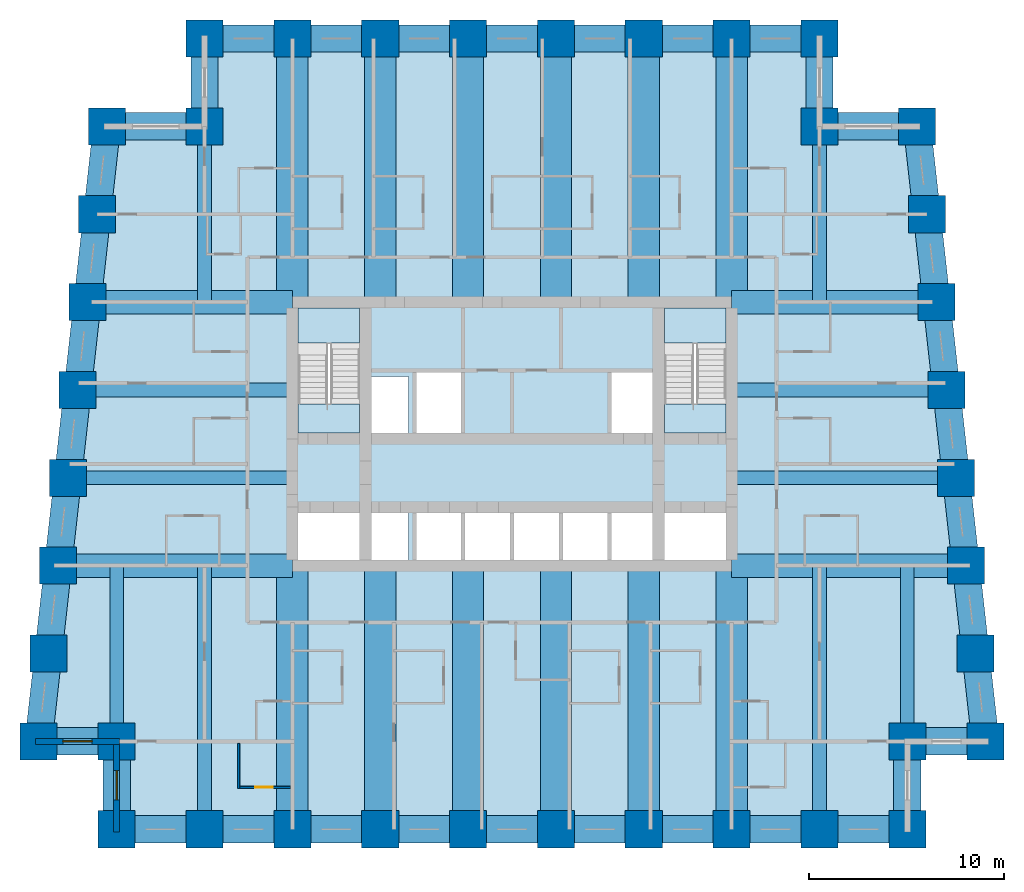
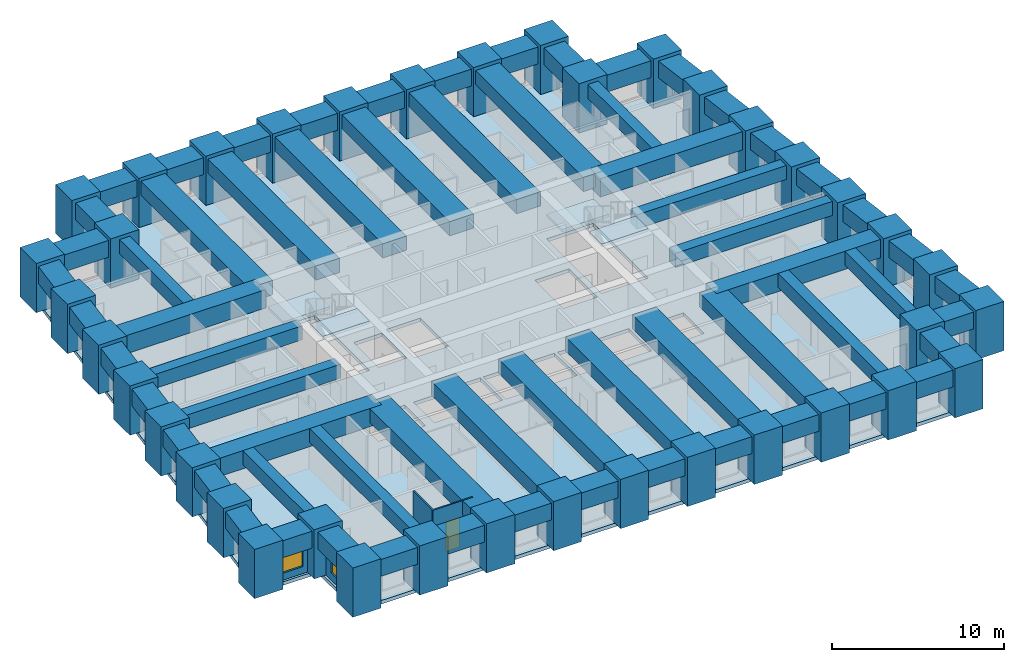
# One storey, part 1 of 8: 64 beams, 38 columns, 5 slabs, 4 walls, 2 windows, 1 door, 3 openings, 2 elements without a shape of their own.
"""IFC4 building model written with IfcOpenShell, lengths in metres."""

from ifc_helpers import new_model, si_unit, direction, frame, frame_2d, origin, origin_2d, place, context, subcontext, project, spatial, polyline, rectangle, outline, extrude, material, layer, layer_set, material_profile, profile_set, type_object, element, fill, aggregate, save


model = new_model("IFC4")

# Units and contexts
model_context = context("Model", 3, precision=1e-05, world=origin(), true_north=direction((0.0, 1.0)))
body_context = subcontext(model_context, "Body", "Model", "MODEL_VIEW")
ifc_project = project(units=[si_unit("LENGTHUNIT", "METRE"), si_unit("AREAUNIT", "SQUARE_METRE"), si_unit("VOLUMEUNIT", "CUBIC_METRE"), si_unit("PLANEANGLEUNIT", "RADIAN"), si_unit("MASSUNIT", "GRAM", prefix="KILO")], contexts=[model_context])

# Site, building, storey
site_placement = place(None, origin())
site = spatial("IfcSite", under=ifc_project, at=site_placement, CompositionType="ELEMENT")
building_placement = place(site_placement, origin())
building = spatial("IfcBuilding", under=site, at=building_placement, Name="Kilele Tower Hotel", CompositionType="ELEMENT")
storey_placement = place(building_placement, frame((0.0, 0.0, 43.699951171875)))
storey = spatial("IfcBuildingStorey", under=building, at=storey_placement, Name="L09", CompositionType="ELEMENT", Elevation=43.699951171875)

# Columns
ifc_material_1 = material(Name="Concrete C80/95", Category="concrete")
ifc_material_profile_1 = material_profile(ifc_material_1, rectangle(XDim=1.89990234375, YDim=1.89990234375, at=origin_2d()))
ifc_profile_set_1 = profile_set([ifc_material_profile_1], Name="Concrete C80/95")
column_type = type_object("IfcColumnType", Name="Tube column RC 1900x1900 C80/95", PredefinedType="COLUMN", material=ifc_profile_set_1)
for number, where, z_axis, x_axis, name in (
    (1, (0.5, 4.5, 0.0), (0.0, 0.0, 1.0), (1.0, 0.0, 0.0), "Column TC1 L09"),
    (2, (4.5, 4.5, 0.0), (0.0, 0.0, 1.0), (1.0, 0.0, 0.0), "Column TC1 L09"),
    (3, (4.5, 0.0, 0.0), (0.0, 0.0, 1.0), (1.0, 0.0, 0.0), "Column TC1 L09"),
    (4, (9.0, 0.0, 0.0), (0.0, 0.0, 1.0), (1.0, 0.0, 0.0), "Column TC1 L09"),
    (5, (13.5, 0.0, 0.0), (0.0, 0.0, 1.0), (1.0, 0.0, 0.0), "Column TC1 L09"),
    (6, (18.0, 0.0, 0.0), (0.0, 0.0, 1.0), (1.0, 0.0, 0.0), "Column TC1 L09"),
    (7, (22.5, 0.0, 0.0), (0.0, 0.0, 1.0), (1.0, 0.0, 0.0), "Column TC1 L09"),
    (8, (27.0, 0.0, 0.0), (0.0, 0.0, 1.0), (1.0, 0.0, 0.0), "Column TC1 L09"),
    (9, (31.5, 0.0, 0.0), (0.0, 0.0, 1.0), (1.0, 0.0, 0.0), "Column TC1 L09"),
    (10, (36.0, 0.0, 0.0), (0.0, 0.0, 1.0), (1.0, 0.0, 0.0), "Column TC1 L09"),
    (11, (40.5, 0.0, 0.0), (0.0, 0.0, 1.0), (1.0, 0.0, 0.0), "Column TC1 L09"),
    (12, (45.0, 0.0, 0.0), (0.0, 0.0, 1.0), (1.0, 0.0, 0.0), "Column TC1 L09"),
    (13, (45.0, 4.5, 0.0), (0.0, 0.0, 1.0), (1.0, 0.0, 0.0), "Column TC1 L09"),
    (14, (49.0, 4.5, 0.0), (0.0, 0.0, 1.0), (1.0, 0.0, 0.0), "Column TC1 L09"),
    (15, (48.5, 9.0, 0.0), (0.0, 0.0, 1.0), (1.0, 0.0, 0.0), "Column TC1 L09"),
    (16, (48.0, 13.5, 0.0), (0.0, 0.0, 1.0), (1.0, 0.0, 0.0), "Column TC1 L09"),
    (17, (47.5, 18.0, 0.0), (0.0, 0.0, 1.0), (1.0, 0.0, 0.0), "Column TC1 L09"),
    (18, (47.0, 22.5, 0.0), (0.0, 0.0, 1.0), (1.0, 0.0, 0.0), "Column TC1 L09"),
    (19, (46.5, 27.0, 0.0), (0.0, 0.0, 1.0), (1.0, 0.0, 0.0), "Column TC1 L09"),
    (20, (46.0, 31.5, 0.0), (0.0, 0.0, 1.0), (1.0, 0.0, 0.0), "Column TC1 L09"),
    (21, (45.5, 36.0, 0.0), (0.0, 0.0, 1.0), (1.0, 0.0, 0.0), "Column TC1 L09"),
    (22, (40.5, 36.0, 0.0), (0.0, 0.0, 1.0), (1.0, 0.0, 0.0), "Column TC1 L09"),
    (23, (40.5, 40.5, 0.0), (0.0, 0.0, 1.0), (1.0, 0.0, 0.0), "Column TC1 L09"),
    (24, (36.0, 40.5, 0.0), (0.0, 0.0, 1.0), (1.0, 0.0, 0.0), "Column TC1 L09"),
    (25, (31.5, 40.5, 0.0), (0.0, 0.0, 1.0), (1.0, 0.0, 0.0), "Column TC1 L09"),
    (26, (27.0, 40.5, 0.0), (0.0, 0.0, 1.0), (1.0, 0.0, 0.0), "Column TC1 L09"),
    (27, (22.5, 40.5, 0.0), (0.0, 0.0, 1.0), (1.0, 0.0, 0.0), "Column TC1 L09"),
    (28, (18.0, 40.5, 0.0), (0.0, 0.0, 1.0), (1.0, 0.0, 0.0), "Column TC1 L09"),
    (29, (13.5, 40.5, 0.0), (0.0, 0.0, 1.0), (1.0, 0.0, 0.0), "Column TC1 L09"),
    (30, (9.0, 40.5, 0.0), (0.0, 0.0, 1.0), (1.0, 0.0, 0.0), "Column TC1 L09"),
    (31, (9.0, 36.0, 0.0), (0.0, 0.0, 1.0), (1.0, 0.0, 0.0), "Column TC1 L09"),
    (32, (4.0, 36.0, 0.0), (0.0, 0.0, 1.0), (1.0, 0.0, 0.0), "Column TC1 L09"),
    (33, (3.5, 31.5, 0.0), (0.0, 0.0, 1.0), (1.0, 0.0, 0.0), "Column TC1 L09"),
    (34, (3.0, 27.0, 0.0), (0.0, 0.0, 1.0), (1.0, 0.0, 0.0), "Column TC1 L09"),
    (35, (2.5, 22.5, 0.0), (0.0, 0.0, 1.0), (1.0, 0.0, 0.0), "Column TC1 L09"),
    (36, (2.0, 18.0, 0.0), (0.0, 0.0, 1.0), (1.0, 0.0, 0.0), "Column TC1 L09"),
    (37, (1.5, 13.5, 0.0), (0.0, 0.0, 1.0), (1.0, 0.0, 0.0), "Column TC1 L09"),
    (38, (1.0, 9.0, 0.0), (0.0, 0.0, 1.0), (1.0, 0.0, 0.0), "Column TC1 L09"),
):
    element("IfcColumn", number, at=place(storey_placement, frame(where, z_axis=z_axis, x_axis=x_axis)), inside=storey, type_object=column_type, Name=name, PredefinedType="COLUMN", context=body_context, shape_type="SweptSolid", body=[
        extrude(rectangle(XDim=1.89990234375, YDim=1.89990234375, at=origin_2d()), origin(), (0.0, 0.0, 1.0), 3.5),
    ])

# Beams
ifc_material_2 = material(Name="Concrete C60/75", Category="concrete")
ifc_material_profile_2 = material_profile(ifc_material_2, rectangle(XDim=1.60009765625, YDim=1.0, at=origin_2d()))
ifc_profile_set_2 = profile_set([ifc_material_profile_2], Name="Concrete C60/75")
beam_type_1 = type_object("IfcBeamType", Name="Beam RC 1600x1000 C60/75", PredefinedType="BEAM", material=ifc_profile_set_2)
for number, where, z_axis, x_axis, name in (
    (39, (13.5, 0.0, 2.75), (0.0, 1.0, 0.0), (-1.0, 0.0, 0.0), "Beam BC1 level L10"),
    (40, (18.0, 0.0, 2.75), (0.0, 1.0, 0.0), (-1.0, 0.0, 0.0), "Beam BC1 level L10"),
    (41, (22.5, 0.0, 2.75), (0.0, 1.0, 0.0), (-1.0, 0.0, 0.0), "Beam BC1 level L10"),
    (42, (27.0, 0.0, 2.75), (0.0, 1.0, 0.0), (-1.0, 0.0, 0.0), "Beam BC1 level L10"),
    (43, (31.5, 0.0, 2.75), (0.0, 1.0, 0.0), (-1.0, 0.0, 0.0), "Beam BC1 level L10"),
    (44, (36.0, 0.0, 2.75), (0.0, 1.0, 0.0), (-1.0, 0.0, 0.0), "Beam BC1 level L10"),
    (45, (36.0, 40.5, 2.75), (0.0, -1.0, 0.0), (1.0, 0.0, 0.0), "Beam BC1 level L10"),
    (46, (31.5, 40.5, 2.75), (0.0, -1.0, 0.0), (1.0, 0.0, 0.0), "Beam BC1 level L10"),
    (47, (27.0, 40.5, 2.75), (0.0, -1.0, 0.0), (1.0, 0.0, 0.0), "Beam BC1 level L10"),
    (48, (22.5, 40.5, 2.75), (0.0, -1.0, 0.0), (1.0, 0.0, 0.0), "Beam BC1 level L10"),
    (49, (18.0, 40.5, 2.75), (0.0, -1.0, 0.0), (1.0, 0.0, 0.0), "Beam BC1 level L10"),
    (50, (13.5, 40.5, 2.75), (0.0, -1.0, 0.0), (1.0, 0.0, 0.0), "Beam BC1 level L10"),
):
    element("IfcBeam", number, at=place(storey_placement, frame(where, z_axis=z_axis, x_axis=x_axis)), inside=storey, type_object=beam_type_1, Name=name, PredefinedType="BEAM", context=body_context, shape_type="SweptSolid", body=[
        extrude(rectangle(XDim=1.60009765625, YDim=1.0, at=origin_2d()), origin(), (0.0, 0.0, 1.0), 13.5),
    ])
ifc_material_3 = material(Name="Concrete C60/75", Category="concrete")
ifc_material_profile_3 = material_profile(ifc_material_3, rectangle(XDim=0.699951171875, YDim=1.0, at=origin_2d()))
ifc_profile_set_3 = profile_set([ifc_material_profile_3], Name="Concrete C60/75")
beam_type_2 = type_object("IfcBeamType", Name="Beam RC 700x1000 C60/75", PredefinedType="BEAM", material=ifc_profile_set_3)
for number, where, z_axis, x_axis, name in (
    (51, (9.0, 0.0, 2.75), (0.0, 1.0, 0.0), (-1.0, 0.0, 0.0), "Beam B4 level L10"),
    (52, (40.5, 0.0, 2.75), (0.0, 1.0, 0.0), (-1.0, 0.0, 0.0), "Beam B4 level L10"),
):
    element("IfcBeam", number, at=place(storey_placement, frame(where, z_axis=z_axis, x_axis=x_axis)), inside=storey, type_object=beam_type_2, Name=name, PredefinedType="BEAM", context=body_context, shape_type="SweptSolid", body=[
        extrude(rectangle(XDim=0.699951171875, YDim=1.0, at=origin_2d()), origin(), (0.0, 0.0, 1.0), 13.5),
    ])
ifc_material_4 = material(Name="Concrete C60/75", Category="concrete")
ifc_material_profile_4 = material_profile(ifc_material_4, rectangle(XDim=0.699951171875, YDim=1.0, at=origin_2d()))
ifc_profile_set_4 = profile_set([ifc_material_profile_4], Name="Concrete C60/75")
beam_type_3 = type_object("IfcBeamType", Name="Beam RC 700x1000 C60/75 mid span", PredefinedType="BEAM", material=ifc_profile_set_4)
for number, where, z_axis, x_axis, name in (
    (53, (4.5, 4.5, 2.75), (0.0, 1.0, 0.0), (-1.0, 0.0, 0.0), "Beam B5 level L10"),
    (54, (45.0, 4.5, 2.75), (0.0, 1.0, 0.0), (-1.0, 0.0, 0.0), "Beam B5 level L10"),
):
    element("IfcBeam", number, at=place(storey_placement, frame(where, z_axis=z_axis, x_axis=x_axis)), inside=storey, type_object=beam_type_3, Name=name, PredefinedType="BEAM", context=body_context, shape_type="SweptSolid", body=[
        extrude(rectangle(XDim=0.699951171875, YDim=1.0, at=origin_2d()), origin(), (0.0, 0.0, 1.0), 9.0),
    ])
beam_1_placement = place(storey_placement, frame((47.5, 18.0, 2.75), z_axis=(-1.0, 0.0, 0.0), x_axis=(0.0, -1.0, 0.0)))
element("IfcBeam", 55, at=beam_1_placement, inside=storey, type_object=beam_type_3, Name="Beam B5 level L10", PredefinedType="BEAM", context=body_context, shape_type="SweptSolid", body=[
    extrude(rectangle(XDim=0.699951171875, YDim=1.0, at=origin_2d()), origin(), (0.0, 0.0, 1.0), 11.5),
])
beam_2_placement = place(storey_placement, frame((47.0, 22.5, 2.75), z_axis=(-1.0, 0.0, 0.0), x_axis=(0.0, -1.0, 0.0)))
element("IfcBeam", 56, at=beam_2_placement, inside=storey, type_object=beam_type_3, Name="Beam B5 level L10", PredefinedType="BEAM", context=body_context, shape_type="SweptSolid", body=[
    extrude(rectangle(XDim=0.699951171875, YDim=1.0, at=origin_2d()), origin(), (0.0, 0.0, 1.0), 11.0),
])
for number, where, z_axis, x_axis, name in (
    (57, (40.5, 36.0, 2.75), (0.0, -1.0, 0.0), (1.0, 0.0, 0.0), "Beam B5 level L10"),
    (58, (9.0, 36.0, 2.75), (0.0, -1.0, 0.0), (1.0, 0.0, 0.0), "Beam B5 level L10"),
):
    element("IfcBeam", number, at=place(storey_placement, frame(where, z_axis=z_axis, x_axis=x_axis)), inside=storey, type_object=beam_type_3, Name=name, PredefinedType="BEAM", context=body_context, shape_type="SweptSolid", body=[
        extrude(rectangle(XDim=0.699951171875, YDim=1.0, at=origin_2d()), origin(), (0.0, 0.0, 1.0), 9.0),
    ])
beam_3_placement = place(storey_placement, frame((2.5, 22.5, 2.75), z_axis=(1.0, 0.0, 0.0), x_axis=(0.0, 1.0, 0.0)))
element("IfcBeam", 59, at=beam_3_placement, inside=storey, type_object=beam_type_3, Name="Beam B5 level L10", PredefinedType="BEAM", context=body_context, shape_type="SweptSolid", body=[
    extrude(rectangle(XDim=0.699951171875, YDim=1.0, at=origin_2d()), origin(), (0.0, 0.0, 1.0), 11.0),
])
beam_4_placement = place(storey_placement, frame((2.0, 18.0, 2.75), z_axis=(1.0, 0.0, 0.0), x_axis=(0.0, 1.0, 0.0)))
element("IfcBeam", 60, at=beam_4_placement, inside=storey, type_object=beam_type_3, Name="Beam B5 level L10", PredefinedType="BEAM", context=body_context, shape_type="SweptSolid", body=[
    extrude(rectangle(XDim=0.699951171875, YDim=1.0, at=origin_2d()), origin(), (0.0, 0.0, 1.0), 11.5),
])
ifc_material_5 = material(Name="Concrete C60/75", Category="concrete")
ifc_material_profile_5 = material_profile(ifc_material_5, rectangle(XDim=1.199951171875, YDim=1.300048828125, at=origin_2d()))
ifc_profile_set_5 = profile_set([ifc_material_profile_5], Name="Concrete C60/75")
beam_type_4 = type_object("IfcBeamType", Name="Girder RC 1200x1300 C60/75", PredefinedType="BEAM", material=ifc_profile_set_5)
for number, where, z_axis, x_axis, name in (
    (61, (48.0, 13.5, 2.60009765625), (-1.0, 0.0, 0.0), (0.0, -1.0, 0.0), "Girder G1 level L10"),
    (62, (1.5, 13.5, 2.60009765625), (1.0, 0.0, 0.0), (0.0, 1.0, 0.0), "Girder G1 level L10"),
):
    element("IfcBeam", number, at=place(storey_placement, frame(where, z_axis=z_axis, x_axis=x_axis)), inside=storey, type_object=beam_type_4, Name=name, PredefinedType="BEAM", context=body_context, shape_type="SweptSolid", body=[
        extrude(rectangle(XDim=1.199951171875, YDim=1.300048828125, at=origin_2d()), origin(), (0.0, 0.0, 1.0), 12.0),
    ])
ifc_material_6 = material(Name="Concrete C60/75", Category="concrete")
ifc_material_profile_6 = material_profile(ifc_material_6, rectangle(XDim=1.199951171875, YDim=1.300048828125, at=origin_2d()))
ifc_profile_set_6 = profile_set([ifc_material_profile_6], Name="Concrete C60/75")
beam_type_5 = type_object("IfcBeamType", Name="Girder RC 1200x1300 C60/75 mid span", PredefinedType="BEAM", material=ifc_profile_set_6)
for number, where, z_axis, x_axis, name in (
    (63, (46.5, 27.0, 2.60009765625), (-1.0, 0.0, 0.0), (0.0, -1.0, 0.0), "Girder G3 level L10"),
    (64, (3.0, 27.0, 2.60009765625), (1.0, 0.0, 0.0), (0.0, 1.0, 0.0), "Girder G3 level L10"),
):
    element("IfcBeam", number, at=place(storey_placement, frame(where, z_axis=z_axis, x_axis=x_axis)), inside=storey, type_object=beam_type_5, Name=name, PredefinedType="BEAM", context=body_context, shape_type="SweptSolid", body=[
        extrude(rectangle(XDim=1.199951171875, YDim=1.300048828125, at=origin_2d()), origin(), (0.0, 0.0, 1.0), 10.5),
    ])
ifc_material_7 = material(Name="Concrete C60/75", Category="concrete")
ifc_material_profile_7 = material_profile(ifc_material_7, rectangle(XDim=1.39990234375, YDim=1.199951171875, at=origin_2d()))
ifc_profile_set_7 = profile_set([ifc_material_profile_7], Name="Concrete C60/75")
beam_type_6 = type_object("IfcBeamType", Name="Spandrel RC 1400x1200 C60/75", PredefinedType="SPANDREL", material=ifc_profile_set_7)
beam_5_placement = place(storey_placement, frame((0.5, 4.5, 2.650146484375), z_axis=(1.0, 0.0, 0.0), x_axis=(0.0, 1.0, 0.0)))
element("IfcBeam", 65, at=beam_5_placement, inside=storey, type_object=beam_type_6, Name="Spandrel SP10 level L10", PredefinedType="SPANDREL", context=body_context, shape_type="SweptSolid", body=[
    extrude(rectangle(XDim=1.39990234375, YDim=1.199951171875, at=origin_2d()), origin(), (0.0, 0.0, 1.0), 4.0),
])
for number, where, z_axis, x_axis, name in (
    (66, (4.5, 4.5, 2.650146484375), (0.0, -1.0, 0.0), (1.0, 0.0, 0.0), "Spandrel SP10 level L10"),
    (67, (4.5, 0.0, 2.650146484375), (1.0, 0.0, 0.0), (0.0, 1.0, 0.0), "Spandrel SP10 level L10"),
    (68, (9.0, 0.0, 2.650146484375), (1.0, 0.0, 0.0), (0.0, 1.0, 0.0), "Spandrel SP10 level L10"),
    (69, (13.5, 0.0, 2.650146484375), (1.0, 0.0, 0.0), (0.0, 1.0, 0.0), "Spandrel SP10 level L10"),
    (70, (18.0, 0.0, 2.650146484375), (1.0, 0.0, 0.0), (0.0, 1.0, 0.0), "Spandrel SP10 level L10"),
    (71, (22.5, 0.0, 2.650146484375), (1.0, 0.0, 0.0), (0.0, 1.0, 0.0), "Spandrel SP10 level L10"),
    (72, (27.0, 0.0, 2.650146484375), (1.0, 0.0, 0.0), (0.0, 1.0, 0.0), "Spandrel SP10 level L10"),
    (73, (31.5, 0.0, 2.650146484375), (1.0, 0.0, 0.0), (0.0, 1.0, 0.0), "Spandrel SP10 level L10"),
    (74, (36.0, 0.0, 2.650146484375), (1.0, 0.0, 0.0), (0.0, 1.0, 0.0), "Spandrel SP10 level L10"),
    (75, (40.5, 0.0, 2.650146484375), (1.0, 0.0, 0.0), (0.0, 1.0, 0.0), "Spandrel SP10 level L10"),
    (76, (45.0, 0.0, 2.650146484375), (0.0, 1.0, 0.0), (-1.0, 0.0, 0.0), "Spandrel SP10 level L10"),
):
    element("IfcBeam", number, at=place(storey_placement, frame(where, z_axis=z_axis, x_axis=x_axis)), inside=storey, type_object=beam_type_6, Name=name, PredefinedType="SPANDREL", context=body_context, shape_type="SweptSolid", body=[
        extrude(rectangle(XDim=1.39990234375, YDim=1.199951171875, at=origin_2d()), origin(), (0.0, 0.0, 1.0), 4.5),
    ])
beam_6_placement = place(storey_placement, frame((45.0, 4.5, 2.650146484375), z_axis=(1.0, 0.0, 0.0), x_axis=(0.0, 1.0, 0.0)))
element("IfcBeam", 77, at=beam_6_placement, inside=storey, type_object=beam_type_6, Name="Spandrel SP10 level L10", PredefinedType="SPANDREL", context=body_context, shape_type="SweptSolid", body=[
    extrude(rectangle(XDim=1.39990234375, YDim=1.199951171875, at=origin_2d()), origin(), (0.0, 0.0, 1.0), 4.0),
])
for number, where, z_axis, x_axis, name in (
    (78, (49.0, 4.5, 2.650146484375), (-0.110431526075, 0.993883734674, 0.0), (-0.993883734674, -0.110431526075, 0.0), "Spandrel SP10 level L10"),
    (79, (48.5, 9.0, 2.650146484375), (-0.110431526075, 0.993883734674, 0.0), (-0.993883734674, -0.110431526075, 0.0), "Spandrel SP10 level L10"),
    (80, (48.0, 13.5, 2.650146484375), (-0.110431526075, 0.993883734674, 0.0), (-0.993883734674, -0.110431526075, 0.0), "Spandrel SP10 level L10"),
    (81, (47.5, 18.0, 2.650146484375), (-0.110431526075, 0.993883734674, 0.0), (-0.993883734674, -0.110431526075, 0.0), "Spandrel SP10 level L10"),
    (82, (47.0, 22.5, 2.650146484375), (-0.110431526075, 0.993883734674, 0.0), (-0.993883734674, -0.110431526075, 0.0), "Spandrel SP10 level L10"),
    (83, (46.5, 27.0, 2.650146484375), (-0.110431526075, 0.993883734674, 0.0), (-0.993883734674, -0.110431526075, 0.0), "Spandrel SP10 level L10"),
    (84, (46.0, 31.5, 2.650146484375), (-0.110431526075, 0.993883734674, 0.0), (-0.993883734674, -0.110431526075, 0.0), "Spandrel SP10 level L10"),
):
    element("IfcBeam", number, at=place(storey_placement, frame(where, z_axis=z_axis, x_axis=x_axis)), inside=storey, type_object=beam_type_6, Name=name, PredefinedType="SPANDREL", context=body_context, shape_type="SweptSolid", body=[
        extrude(rectangle(XDim=1.39990234375, YDim=1.199951171875, at=origin_2d()), origin(), (0.0, 0.0, 1.0), 4.527587890625),
    ])
beam_7_placement = place(storey_placement, frame((45.5, 36.0, 2.650146484375), z_axis=(-1.0, 0.0, 0.0), x_axis=(0.0, -1.0, 0.0)))
element("IfcBeam", 85, at=beam_7_placement, inside=storey, type_object=beam_type_6, Name="Spandrel SP10 level L10", PredefinedType="SPANDREL", context=body_context, shape_type="SweptSolid", body=[
    extrude(rectangle(XDim=1.39990234375, YDim=1.199951171875, at=origin_2d()), origin(), (0.0, 0.0, 1.0), 5.0),
])
for number, where, z_axis, x_axis, name in (
    (86, (40.5, 36.0, 2.650146484375), (0.0, 1.0, 0.0), (-1.0, 0.0, 0.0), "Spandrel SP10 level L10"),
    (87, (40.5, 40.5, 2.650146484375), (-1.0, 0.0, 0.0), (0.0, -1.0, 0.0), "Spandrel SP10 level L10"),
    (88, (36.0, 40.5, 2.650146484375), (-1.0, 0.0, 0.0), (0.0, -1.0, 0.0), "Spandrel SP10 level L10"),
    (89, (31.5, 40.5, 2.650146484375), (-1.0, 0.0, 0.0), (0.0, -1.0, 0.0), "Spandrel SP10 level L10"),
    (90, (27.0, 40.5, 2.650146484375), (-1.0, 0.0, 0.0), (0.0, -1.0, 0.0), "Spandrel SP10 level L10"),
    (91, (22.5, 40.5, 2.650146484375), (-1.0, 0.0, 0.0), (0.0, -1.0, 0.0), "Spandrel SP10 level L10"),
    (92, (18.0, 40.5, 2.650146484375), (-1.0, 0.0, 0.0), (0.0, -1.0, 0.0), "Spandrel SP10 level L10"),
    (93, (13.5, 40.5, 2.650146484375), (-1.0, 0.0, 0.0), (0.0, -1.0, 0.0), "Spandrel SP10 level L10"),
    (94, (9.0, 40.5, 2.650146484375), (0.0, -1.0, 0.0), (1.0, 0.0, 0.0), "Spandrel SP10 level L10"),
):
    element("IfcBeam", number, at=place(storey_placement, frame(where, z_axis=z_axis, x_axis=x_axis)), inside=storey, type_object=beam_type_6, Name=name, PredefinedType="SPANDREL", context=body_context, shape_type="SweptSolid", body=[
        extrude(rectangle(XDim=1.39990234375, YDim=1.199951171875, at=origin_2d()), origin(), (0.0, 0.0, 1.0), 4.5),
    ])
beam_8_placement = place(storey_placement, frame((9.0, 36.0, 2.650146484375), z_axis=(-1.0, 0.0, 0.0), x_axis=(0.0, -1.0, 0.0)))
element("IfcBeam", 95, at=beam_8_placement, inside=storey, type_object=beam_type_6, Name="Spandrel SP10 level L10", PredefinedType="SPANDREL", context=body_context, shape_type="SweptSolid", body=[
    extrude(rectangle(XDim=1.39990234375, YDim=1.199951171875, at=origin_2d()), origin(), (0.0, 0.0, 1.0), 5.0),
])
for number, where, z_axis, x_axis, name in (
    (96, (4.0, 36.0, 2.650146484375), (-0.110431526075, -0.993883734674, 0.0), (0.993883734674, -0.110431526075, 0.0), "Spandrel SP10 level L10"),
    (97, (3.5, 31.5, 2.650146484375), (-0.110431526075, -0.993883734674, 0.0), (0.993883734674, -0.110431526075, 0.0), "Spandrel SP10 level L10"),
    (98, (3.0, 27.0, 2.650146484375), (-0.110431526075, -0.993883734674, 0.0), (0.993883734674, -0.110431526075, 0.0), "Spandrel SP10 level L10"),
    (99, (2.5, 22.5, 2.650146484375), (-0.110431526075, -0.993883734674, 0.0), (0.993883734674, -0.110431526075, 0.0), "Spandrel SP10 level L10"),
    (100, (2.0, 18.0, 2.650146484375), (-0.110431526075, -0.993883734674, 0.0), (0.993883734674, -0.110431526075, 0.0), "Spandrel SP10 level L10"),
    (101, (1.5, 13.5, 2.650146484375), (-0.110431526075, -0.993883734674, 0.0), (0.993883734674, -0.110431526075, 0.0), "Spandrel SP10 level L10"),
    (102, (1.0, 9.0, 2.650146484375), (-0.110431526075, -0.993883734674, 0.0), (0.993883734674, -0.110431526075, 0.0), "Spandrel SP10 level L10"),
):
    element("IfcBeam", number, at=place(storey_placement, frame(where, z_axis=z_axis, x_axis=x_axis)), inside=storey, type_object=beam_type_6, Name=name, PredefinedType="SPANDREL", context=body_context, shape_type="SweptSolid", body=[
        extrude(rectangle(XDim=1.39990234375, YDim=1.199951171875, at=origin_2d()), origin(), (0.0, 0.0, 1.0), 4.527587890625),
    ])

# Slab
ifc_material_8 = material(Name="Concrete C60/75", Category="concrete")
ifc_layer_1 = layer(ifc_material_8, 0.25)
ifc_layer_set_1 = layer_set([ifc_layer_1], Name="Concrete C60/75")
slab_type_1 = type_object("IfcSlabType", Name="Floor slab 250", PredefinedType="FLOOR", material=ifc_layer_set_1)
slab_1_placement = place(storey_placement, frame((0.0, 0.0, -0.25)))
element("IfcSlab", 103, at=slab_1_placement, inside=storey, type_object=slab_type_1, Name="Floor slab L09", PredefinedType="FLOOR", context=body_context, shape_type="SweptSolid", body=[
    extrude(outline(polyline([(8.699951171875, 36.300048828125), (8.699951171875, 40.800048828125), (40.800048828125, 40.800048828125), (40.800048828125, 36.300048828125), (45.7685546875, 36.300048828125), (49.335205078125, 4.199951171875), (45.300048828125, 4.199951171875), (45.300048828125, -0.300048828125), (4.199951171875, -0.300048828125), (4.199951171875, 4.199951171875), (0.164794921875, 4.199951171875), (3.7314453125, 36.300048828125), (8.699951171875, 36.300048828125)]), holes=[polyline([(16.949951171875, 16.199951171875), (13.800048828125, 16.199951171875), (13.800048828125, 13.800048828125), (16.949951171875, 13.800048828125), (16.949951171875, 16.199951171875)]), polyline([(19.449951171875, 13.800048828125), (19.449951171875, 16.199951171875), (17.550048828125, 16.199951171875), (17.550048828125, 13.800048828125), (19.449951171875, 13.800048828125)]), polyline([(22.14990234375, 13.800048828125), (22.14990234375, 16.39990234375), (19.85009765625, 16.39990234375), (19.85009765625, 13.800048828125), (22.14990234375, 13.800048828125)]), polyline([(24.64990234375, 16.39990234375), (22.35009765625, 16.39990234375), (22.35009765625, 13.800048828125), (24.64990234375, 13.800048828125), (24.64990234375, 16.39990234375)]), polyline([(19.449951171875, 20.300048828125), (19.449951171875, 23.199951171875), (17.550048828125, 23.199951171875), (17.550048828125, 20.300048828125), (19.449951171875, 20.300048828125)]), polyline([(22.14990234375, 20.10009765625), (22.14990234375, 23.39990234375), (19.85009765625, 23.39990234375), (19.85009765625, 20.10009765625), (22.14990234375, 20.10009765625)]), polyline([(16.949951171875, 26.699951171875), (13.800048828125, 26.699951171875), (13.800048828125, 20.300048828125), (16.949951171875, 20.300048828125), (16.949951171875, 26.699951171875)]), polyline([(35.699951171875, 13.800048828125), (35.699951171875, 16.199951171875), (32.550048828125, 16.199951171875), (32.550048828125, 13.800048828125), (35.699951171875, 13.800048828125)]), polyline([(27.14990234375, 13.800048828125), (27.14990234375, 16.39990234375), (24.85009765625, 16.39990234375), (24.85009765625, 13.800048828125), (27.14990234375, 13.800048828125)]), polyline([(29.64990234375, 13.800048828125), (29.64990234375, 16.39990234375), (27.35009765625, 16.39990234375), (27.35009765625, 13.800048828125), (29.64990234375, 13.800048828125)]), polyline([(32.14990234375, 13.800048828125), (32.14990234375, 16.39990234375), (29.85009765625, 16.39990234375), (29.85009765625, 13.800048828125), (32.14990234375, 13.800048828125)]), polyline([(32.14990234375, 20.10009765625), (32.14990234375, 23.39990234375), (29.85009765625, 23.39990234375), (29.85009765625, 20.10009765625), (32.14990234375, 20.10009765625)]), polyline([(35.699951171875, 20.300048828125), (35.699951171875, 26.699951171875), (32.550048828125, 26.699951171875), (32.550048828125, 20.300048828125), (35.699951171875, 20.300048828125)])]), origin(), (0.0, 0.0, 1.0), 0.25),
])

# Stair, slabs
ifc_material_9 = material(Name="Precast concrete C40/50", Category="concrete")
stair_type = type_object("IfcStairType", Name="Stair 1475 x 3500", PredefinedType="HALF_TURN_STAIR", material=ifc_material_9)
stair_1_placement = place(storey_placement, origin())
stair_1 = element("IfcStair", 104, at=stair_1_placement, inside=storey, type_object=stair_type, Name="Stair 1 L09", PredefinedType="HALF_TURN_STAIR")
ifc_material_10 = material(Name="Precast concrete C40/50", Category="concrete")
ifc_layer_2 = layer(ifc_material_10, 0.199951171875)
ifc_layer_set_2 = layer_set([ifc_layer_2], Name="Precast concrete C40/50")
slab_type_2 = type_object("IfcSlabType", Name="Stair landing 200", PredefinedType="LANDING", material=ifc_layer_set_2)
slab_2_placement = place(storey_placement, frame((0.0, 0.0, 1.550048828125)))
slab_2 = element("IfcSlab", 105, at=slab_2_placement, type_object=slab_type_2, Name="ST1 landing 1", PredefinedType="LANDING", context=body_context, shape_type="SweptSolid", body=[
    extrude(outline(polyline([(13.800048828125, 24.89501953125), (16.949951171875, 24.89501953125), (16.949951171875, 26.699951171875), (13.800048828125, 26.699951171875), (13.800048828125, 24.89501953125)])), origin(), (0.0, 0.0, 1.0), 0.199951171875),
])
slab_3_placement = place(storey_placement, frame((0.0, 0.0, 3.300048828125)))
slab_3 = element("IfcSlab", 106, at=slab_3_placement, type_object=slab_type_2, Name="ST1 landing 2", PredefinedType="LANDING", context=body_context, shape_type="SweptSolid", body=[
    extrude(outline(polyline([(13.800048828125, 20.300048828125), (16.949951171875, 20.300048828125), (16.949951171875, 21.77490234375), (13.800048828125, 21.77490234375), (13.800048828125, 20.300048828125)])), origin(), (0.0, 0.0, 1.0), 0.199951171875),
])
aggregate(stair_1, [slab_2, slab_3])

stair_2_placement = place(storey_placement, origin())
stair_2 = element("IfcStair", 107, at=stair_2_placement, inside=storey, type_object=stair_type, Name="Stair 2 L09", PredefinedType="HALF_TURN_STAIR")
slab_4_placement = place(storey_placement, frame((0.0, 0.0, 1.550048828125)))
slab_4 = element("IfcSlab", 108, at=slab_4_placement, type_object=slab_type_2, Name="ST2 landing 1", PredefinedType="LANDING", context=body_context, shape_type="SweptSolid", body=[
    extrude(outline(polyline([(32.550048828125, 24.89501953125), (35.699951171875, 24.89501953125), (35.699951171875, 26.699951171875), (32.550048828125, 26.699951171875), (32.550048828125, 24.89501953125)])), origin(), (0.0, 0.0, 1.0), 0.199951171875),
])
slab_5_placement = place(storey_placement, frame((0.0, 0.0, 3.300048828125)))
slab_5 = element("IfcSlab", 109, at=slab_5_placement, type_object=slab_type_2, Name="ST2 landing 2", PredefinedType="LANDING", context=body_context, shape_type="SweptSolid", body=[
    extrude(outline(polyline([(32.550048828125, 20.300048828125), (35.699951171875, 20.300048828125), (35.699951171875, 21.77490234375), (32.550048828125, 21.77490234375), (32.550048828125, 20.300048828125)])), origin(), (0.0, 0.0, 1.0), 0.199951171875),
])
aggregate(stair_2, [slab_4, slab_5])

# Wall
ifc_material_11 = material(Name="Moisture-resistant board")
ifc_layer_3 = layer(ifc_material_11, 0.10009765625)
ifc_layer_set_3 = layer_set([ifc_layer_3], Name="Moisture-resistant board")
wall_type_1 = type_object("IfcWallType", Name="Bathroom partition 100", PredefinedType="PLUMBINGWALL", material=ifc_layer_set_3)
wall_1_placement = place(storey_placement, frame((10.75, 4.39990234375, 0.0), z_axis=(0.0, 0.0, 1.0), x_axis=(0.0, -1.0, 0.0)))
element("IfcWall", 110, at=wall_1_placement, inside=storey, type_object=wall_type_1, Name="Bathroom partition 100 L09", PredefinedType="PLUMBINGWALL", context=body_context, shape_type="SweptSolid", body=[
    extrude(rectangle(XDim=2.2998046875, YDim=0.10009765625, at=frame_2d((1.14990234375, 0.0))), origin(), (0.0, 0.0, 1.0), 3.25),
])

# Wall, opening, door
wall_2_placement = place(storey_placement, frame((13.39990234375, 2.14990234375, 0.0), z_axis=(0.0, 0.0, 1.0), x_axis=(-1.0, 0.0, 0.0)))
wall_2 = element("IfcWall", 111, at=wall_2_placement, inside=storey, type_object=wall_type_1, Name="Bathroom partition 100 L09", PredefinedType="PLUMBINGWALL", context=body_context, shape_type="SweptSolid", body=[
    extrude(rectangle(XDim=2.699951171875, YDim=0.10009765625, at=frame_2d((1.35009765625, 0.0))), origin(), (0.0, 0.0, 1.0), 3.25),
])
opening_1_placement = place(wall_2_placement, frame((0.89990234375, 0.0, 0.0)))
opening_1 = element("IfcOpeningElement", 112, at=opening_1_placement, cuts=wall_2, Name="Opening D2A", PredefinedType="OPENING", context=body_context, shape_type="SweptSolid", body=[
    extrude(rectangle(XDim=0.89990234375, YDim=2.10009765625, at=frame_2d((0.449951171875, 1.050048828125))), frame((0.0, 0.06005859375, 0.0), z_axis=(0.0, -1.0, 0.0), x_axis=(1.0, 0.0, 0.0)), (0.0, 0.0, 1.0), 0.1201171875),
])
ifc_material_12 = material(Name="Timber door leaf in hardwood frame", Category="wood")
door_type = type_object("IfcDoorType", Name="Bathroom door 900", OperationType="SINGLE_SWING_LEFT", PredefinedType="DOOR", material=ifc_material_12)
door_placement = place(opening_1_placement, origin())
door = element("IfcDoor", 113, at=door_placement, inside=storey, type_object=door_type, Name="Bathroom door 0919B", OperationType="SINGLE_SWING_LEFT", OverallHeight=2.10009765625, OverallWidth=0.89990234375, PredefinedType="DOOR", context=body_context, shape_type="SweptSolid", body=[
    extrude(rectangle(XDim=0.89990234375, YDim=2.10009765625, at=frame_2d((0.449951171875, 1.050048828125))), frame((0.0, 0.02490234375, 0.0), z_axis=(0.0, -1.0, 0.0), x_axis=(1.0, 0.0, 0.0)), (0.0, 0.0, 1.0), 0.050048828125),
])
fill(opening_1, door)

# Wall, opening, window
ifc_material_13 = material(Name="Concrete C40/50 precast", Category="concrete")
ifc_layer_4 = layer(ifc_material_13, 0.260009765625, Name="Precast backing", Category="LoadBearing")
ifc_material_14 = material(Name="Reconstituted stone finish", Category="masonry")
ifc_layer_5 = layer(ifc_material_14, 0.0400390625, Name="Face mix", Category="Finish")
ifc_layer_set_4 = layer_set([ifc_layer_4, ifc_layer_5], Name="Precast concrete C40/50, reconstituted stone finish")
wall_type_2 = type_object("IfcWallType", Name="Precast stone facade wall 300", PredefinedType="STANDARD", material=ifc_layer_set_4)
wall_3_placement = place(storey_placement, frame((0.35009765625, 4.5, 0.0), z_axis=(0.0, 0.0, 1.0), x_axis=(1.0, 0.0, 0.0)))
wall_3 = element("IfcWall", 114, at=wall_3_placement, inside=storey, type_object=wall_type_2, Name="Facade wall L09 edge 1", PredefinedType="STANDARD", context=body_context, shape_type="SweptSolid", body=[
    extrude(rectangle(XDim=4.2998046875, YDim=0.300048828125, at=frame_2d((2.14990234375, 0.0))), origin(), (0.0, 0.0, 1.0), 2.050048828125),
])
opening_2_placement = place(wall_3_placement, frame((1.39990234375, 0.0, 0.5)))
opening_2 = element("IfcOpeningElement", 115, at=opening_2_placement, cuts=wall_3, Name="Opening W1", PredefinedType="OPENING", context=body_context, shape_type="SweptSolid", body=[
    extrude(rectangle(XDim=1.5, YDim=1.39990234375, at=frame_2d((0.75, 0.699951171875))), frame((0.0, 0.159912109375, 0.0), z_axis=(0.0, -1.0, 0.0), x_axis=(1.0, 0.0, 0.0)), (0.0, 0.0, 1.0), 0.320068359375),
])
ifc_material_15 = material(Name="Aluminium frame, clear double glazing", Category="aluminium")
window_type = type_object("IfcWindowType", Name="Window W1 1500 x 1400", PartitioningType="SINGLE_PANEL", PredefinedType="WINDOW", material=ifc_material_15)
window_1_placement = place(opening_2_placement, origin())
window_1 = element("IfcWindow", 116, at=window_1_placement, inside=storey, type_object=window_type, Name="Window L09", OverallHeight=1.39990234375, OverallWidth=1.5, PartitioningType="SINGLE_PANEL", PredefinedType="WINDOW", context=body_context, shape_type="SweptSolid", body=[
    extrude(rectangle(XDim=1.5, YDim=1.39990234375, at=frame_2d((0.75, 0.699951171875))), frame((0.0, 0.030029296875, 0.0), z_axis=(0.0, -1.0, 0.0), x_axis=(1.0, 0.0, 0.0)), (0.0, 0.0, 1.0), 0.06005859375),
])
fill(opening_2, window_1)

wall_4_placement = place(storey_placement, frame((4.5, 4.64990234375, 0.0), z_axis=(0.0, 0.0, 1.0), x_axis=(0.0, -1.0, 0.0)))
wall_4 = element("IfcWall", 117, at=wall_4_placement, inside=storey, type_object=wall_type_2, Name="Facade wall L09 edge 2", PredefinedType="STANDARD", context=body_context, shape_type="SweptSolid", body=[
    extrude(rectangle(XDim=4.7998046875, YDim=0.300048828125, at=frame_2d((2.39990234375, 0.0))), origin(), (0.0, 0.0, 1.0), 2.050048828125),
])
opening_3_placement = place(wall_4_placement, frame((1.64990234375, 0.0, 0.5)))
opening_3 = element("IfcOpeningElement", 118, at=opening_3_placement, cuts=wall_4, Name="Opening W1", PredefinedType="OPENING", context=body_context, shape_type="SweptSolid", body=[
    extrude(rectangle(XDim=1.5, YDim=1.39990234375, at=frame_2d((0.75, 0.699951171875))), frame((0.0, 0.159912109375, 0.0), z_axis=(0.0, -1.0, 0.0), x_axis=(1.0, 0.0, 0.0)), (0.0, 0.0, 1.0), 0.320068359375),
])
window_2_placement = place(opening_3_placement, origin())
window_2 = element("IfcWindow", 119, at=window_2_placement, inside=storey, type_object=window_type, Name="Window L09", OverallHeight=1.39990234375, OverallWidth=1.5, PartitioningType="SINGLE_PANEL", PredefinedType="WINDOW", context=body_context, shape_type="SweptSolid", body=[
    extrude(rectangle(XDim=1.5, YDim=1.39990234375, at=frame_2d((0.75, 0.699951171875))), frame((0.0, 0.030029296875, 0.0), z_axis=(0.0, -1.0, 0.0), x_axis=(1.0, 0.0, 0.0)), (0.0, 0.0, 1.0), 0.06005859375),
])
fill(opening_3, window_2)

save(model, "model.ifc")
